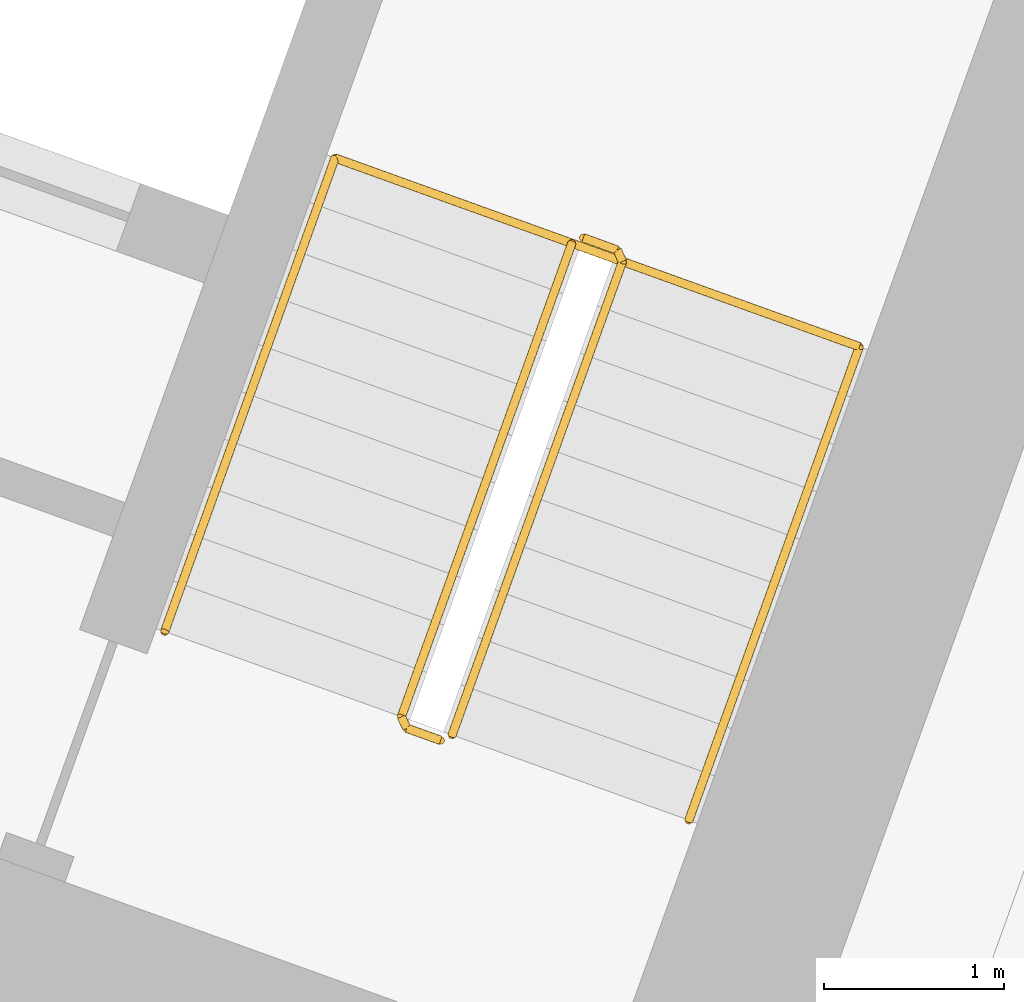
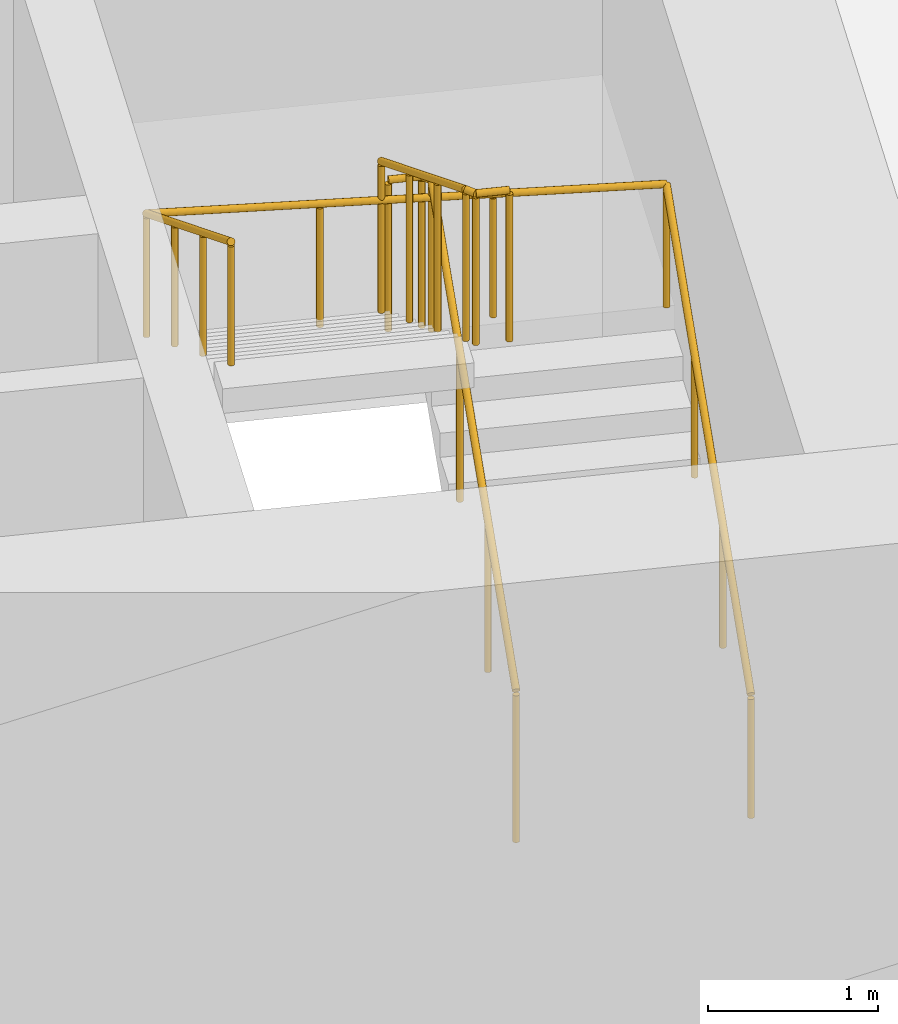
# One storey, part 19 of 19: 3 railings.
"""IFC4 building model written with IfcOpenShell, lengths in metres."""

from ifc_helpers import new_model, si_unit, direction, frame, origin, origin_2d, place, context, subcontext, project, spatial, circle, extrude, material, type_object, element, save


model = new_model("IFC4")

# Units and contexts
model_context = context("Model", 3, precision=1e-05, world=origin(), true_north=direction((0.0, 1.0)))
body_context = subcontext(model_context, "Body", "Model", "MODEL_VIEW")
ifc_project = project(units=[si_unit("LENGTHUNIT", "METRE"), si_unit("AREAUNIT", "SQUARE_METRE"), si_unit("VOLUMEUNIT", "CUBIC_METRE"), si_unit("PLANEANGLEUNIT", "RADIAN"), si_unit("MASSUNIT", "GRAM", prefix="KILO")], contexts=[model_context])

# Site, building, storey
site_placement = place(None, origin())
site = spatial("IfcSite", under=ifc_project, at=site_placement, CompositionType="ELEMENT")
building_placement = place(site_placement, origin())
building = spatial("IfcBuilding", under=site, at=building_placement, Name="Stone Belt Terrace Tower", CompositionType="ELEMENT")
storey_placement = place(building_placement, frame((0.0, 0.0, 204.800048828125)))
storey = spatial("IfcBuildingStorey", under=building, at=storey_placement, Name="L49", CompositionType="ELEMENT", Elevation=204.800048828125)

# Railings
ifc_material = material(Name="Structural steel C345", Category="steel")
railing_type_1 = type_object("IfcRailingType", Name="Stair guard 1100", PredefinedType="GUARDRAIL", material=ifc_material)
railing_1_placement = place(storey_placement, frame((24.494140625, 45.174560546875, 0.172607421875)))
element("IfcRailing", 1, at=railing_1_placement, inside=storey, type_object=railing_type_1, Name="L49 ST1B stair guard 1", PredefinedType="GUARDRAIL", context=body_context, shape_type="SweptSolid", body=[
    extrude(circle(Radius=0.02392578125, at=origin_2d()), frame((0.0, 0.0, 1.076171875), z_axis=(0.288228637646, 0.800791768495, 0.525030280985), x_axis=(-0.940908529223, 0.338660803216, 0.0)), (0.0, 0.0, 1.0), 3.289794921875),
    extrude(circle(Radius=0.02392578125, at=origin_2d()), frame((0.9482421875, 2.634521484375, 2.80322265625), z_axis=(-0.424964916, 0.905209821074, 0.0), x_axis=(-0.905209821074, -0.424964916, 0.0)), (0.0, 0.0, 1.0), 0.070556640625),
    extrude(circle(Radius=0.02392578125, at=origin_2d()), frame((0.918212890625, 2.698486328125, 2.80322265625), z_axis=(-0.941105063269, 0.338114270461, 0.0), x_axis=(-0.338114270461, -0.941105063269, 0.0)), (0.0, 0.0, 1.0), 0.199951171875),
    extrude(circle(Radius=0.02099609375, at=origin_2d()), origin(), (0.0, 0.0, 1.0), 1.052001953125),
    extrude(circle(Radius=0.02099609375, at=origin_2d()), frame((0.316162109375, 0.878173828125, 0.57568359375)), (0.0, 0.0, 1.0), 1.052001953125),
    extrude(circle(Radius=0.02099609375, at=origin_2d()), frame((0.632080078125, 1.75634765625, 1.151611328125)), (0.0, 0.0, 1.0), 1.052001953125),
    extrude(circle(Radius=0.02099609375, at=origin_2d()), frame((0.9482421875, 2.634521484375, 1.727294921875)), (0.0, 0.0, 1.0), 1.052001953125),
    extrude(circle(Radius=0.02099609375, at=origin_2d()), frame((0.918212890625, 2.698486328125, 1.727294921875)), (0.0, 0.0, 1.0), 1.052001953125),
    extrude(circle(Radius=0.02099609375, at=origin_2d()), frame((0.72998046875, 2.76611328125, 1.727294921875)), (0.0, 0.0, 1.0), 1.052001953125),
])
railing_2_placement = place(storey_placement, frame((25.16015625, 47.91064453125, 2.07275390625)))
element("IfcRailing", 2, at=railing_2_placement, inside=storey, type_object=railing_type_1, Name="L49 ST1B stair guard 2", PredefinedType="GUARDRAIL", context=body_context, shape_type="SweptSolid", body=[
    extrude(circle(Radius=0.02392578125, at=origin_2d()), frame((0.0, 0.0, 1.076171875), z_axis=(-0.288228637646, -0.800791768495, 0.525030280985), x_axis=(0.940908529223, -0.338660803216, 0.0)), (0.0, 0.0, 1.0), 3.289794921875),
    extrude(circle(Radius=0.02392578125, at=origin_2d()), frame((-0.9482421875, -2.634521484375, 2.80322265625), z_axis=(0.427789722475, -0.903878284585, 0.0), x_axis=(0.903878284585, 0.427789722475, 0.0)), (0.0, 0.0, 1.0), 0.07080078125),
    extrude(circle(Radius=0.02392578125, at=origin_2d()), frame((-0.91796875, -2.698486328125, 2.80322265625), z_axis=(0.940575576748, -0.339584429008, 0.0), x_axis=(0.339584429008, 0.940575576748, 0.0)), (0.0, 0.0, 1.0), 0.199951171875),
    extrude(circle(Radius=0.02099609375, at=origin_2d()), origin(), (0.0, 0.0, 1.0), 1.052001953125),
    extrude(circle(Radius=0.02099609375, at=origin_2d()), frame((-0.316162109375, -0.878173828125, 0.57568359375)), (0.0, 0.0, 1.0), 1.052001953125),
    extrude(circle(Radius=0.02099609375, at=origin_2d()), frame((-0.632080078125, -1.75634765625, 1.151611328125)), (0.0, 0.0, 1.0), 1.052001953125),
    extrude(circle(Radius=0.02099609375, at=origin_2d()), frame((-0.9482421875, -2.634521484375, 1.727294921875)), (0.0, 0.0, 1.0), 1.052001953125),
    extrude(circle(Radius=0.02099609375, at=origin_2d()), frame((-0.91796875, -2.698486328125, 1.727294921875)), (0.0, 0.0, 1.0), 1.052001953125),
    extrude(circle(Radius=0.02099609375, at=origin_2d()), frame((-0.72998046875, -2.766357421875, 1.727294921875)), (0.0, 0.0, 1.0), 1.052001953125),
])
railing_type_2 = type_object("IfcRailingType", Name="Stair handrail 900", PredefinedType="HANDRAIL", material=ifc_material)
railing_3_placement = place(storey_placement, frame((25.8115234375, 44.700439453125, 0.172607421875)))
element("IfcRailing", 3, at=railing_3_placement, inside=storey, type_object=railing_type_2, Name="L49 ST1B stair handrail 1", PredefinedType="HANDRAIL", context=body_context, shape_type="SweptSolid", body=[
    extrude(circle(Radius=0.02392578125, at=origin_2d()), frame((0.0, 0.0, 0.8759765625), z_axis=(0.288228637646, 0.800791768495, 0.525030280985), x_axis=(-0.940908529223, 0.338660803216, 0.0)), (0.0, 0.0, 1.0), 3.289794921875),
    extrude(circle(Radius=0.02392578125, at=origin_2d()), frame((0.9482421875, 2.634521484375, 2.60302734375), z_axis=(-0.939460408074, 0.338105101667, 0.055669398135), x_axis=(-0.338630230244, -0.940919532779, 0.0)), (0.0, 0.0, 1.0), 3.10498046875),
    extrude(circle(Radius=0.02392578125, at=origin_2d()), frame((-1.96875, 3.684326171875, 2.77587890625), z_axis=(-0.288160591223, -0.800808895155, 0.52504150989), x_axis=(0.940936311087, -0.338583606334, 0.0)), (0.0, 0.0, 1.0), 3.289794921875),
    extrude(circle(Radius=0.02099609375, at=origin_2d()), origin(), (0.0, 0.0, 1.0), 0.851806640625),
    extrude(circle(Radius=0.02099609375, at=origin_2d()), frame((0.316162109375, 0.878173828125, 0.57568359375)), (0.0, 0.0, 1.0), 0.851806640625),
    extrude(circle(Radius=0.02099609375, at=origin_2d()), frame((0.632080078125, 1.75634765625, 1.151611328125)), (0.0, 0.0, 1.0), 0.851806640625),
    extrude(circle(Radius=0.02099609375, at=origin_2d()), frame((0.9482421875, 2.634521484375, 1.727294921875)), (0.0, 0.0, 1.0), 0.851806640625),
    extrude(circle(Radius=0.02099609375, at=origin_2d()), frame((-0.024169921875, 2.984375, 1.784912109375)), (0.0, 0.0, 1.0), 0.851806640625),
    extrude(circle(Radius=0.02099609375, at=origin_2d()), frame((-0.996337890625, 3.33447265625, 1.842529296875)), (0.0, 0.0, 1.0), 0.851806640625),
    extrude(circle(Radius=0.02099609375, at=origin_2d()), frame((-1.96875, 3.684326171875, 1.900146484375)), (0.0, 0.0, 1.0), 0.851806640625),
    extrude(circle(Radius=0.02099609375, at=origin_2d()), frame((-2.28466796875, 2.80615234375, 2.475830078125)), (0.0, 0.0, 1.0), 0.851806640625),
    extrude(circle(Radius=0.02099609375, at=origin_2d()), frame((-2.600830078125, 1.927978515625, 3.0517578125)), (0.0, 0.0, 1.0), 0.851806640625),
    extrude(circle(Radius=0.02099609375, at=origin_2d()), frame((-2.916748046875, 1.0498046875, 3.62744140625)), (0.0, 0.0, 1.0), 0.851806640625),
])

save(model, "model.ifc")
